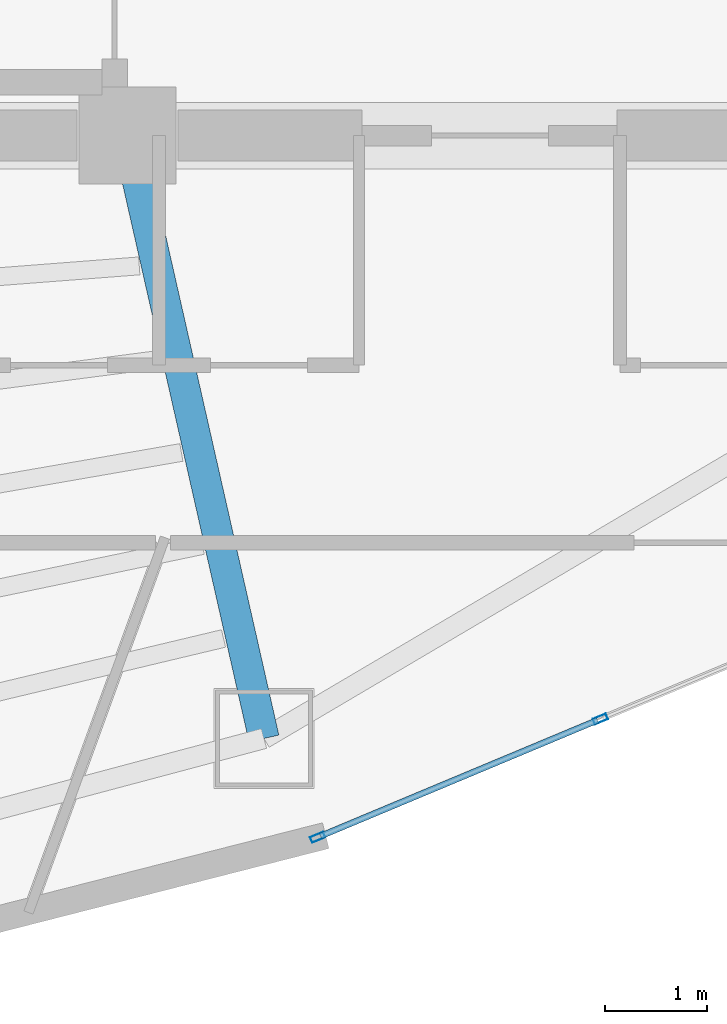
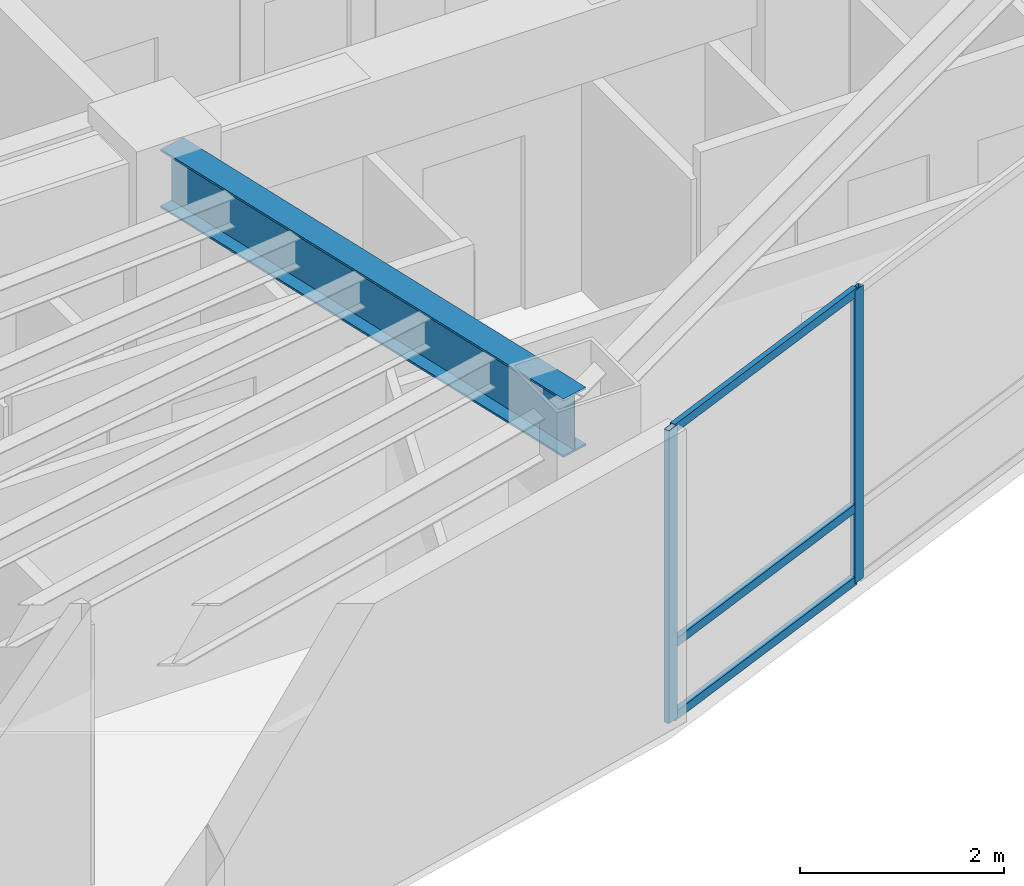
# One storey, part 2 of 15: 5 members, 1 beam, 1 element without a shape of its own.
"""IFC4 building model written with IfcOpenShell, lengths in metres."""

import ifcopenshell
import ifcopenshell.guid

model = None  # the IFC model being written
_history = None  # IfcOwnerHistory: only IFC2X3 demands one
_inside = {}  # id of a spatial element -> (the spatial element, [elements in it])
_under = {}  # id of a project, library or spatial element -> (it, [spatial elements below it])
_declared = {}  # id of a project -> (the project, [libraries it declares])
_typed = {}  # id of a type object -> (the type object, [elements of that type])
_made_of = {}  # id of a material, layer set ... -> (it, [elements and type objects made of it])


def new_model(schema):
    """Start an empty IFC model of exactly this schema.

    Asked for "IFC4X3", IfcOpenShell would pick the latest addendum, in which some entities
    have other attributes; the version numbers below select the first issue.
    IFC2X3 requires an IfcOwnerHistory on every rooted entity: one is made here for all.
    """
    global model, _history
    if schema == "IFC4X3":
        model = ifcopenshell.file(schema_version=(4, 3, 0, 0))
    else:
        model = ifcopenshell.file(schema=schema)
    _inside.clear()
    _under.clear()
    _declared.clear()
    _typed.clear()
    _made_of.clear()
    _history = None
    if model.schema == "IFC2X3":
        org = make("IfcOrganization", Name="unknown")
        user = make(
            "IfcPersonAndOrganization",
            ThePerson=make("IfcPerson", FamilyName="unknown"),
            TheOrganization=org,
        )
        app = make(
            "IfcApplication",
            ApplicationDeveloper=org,
            Version="unknown",
            ApplicationFullName="unknown",
            ApplicationIdentifier="unknown",
        )
        _history = make(
            "IfcOwnerHistory",
            OwningUser=user,
            OwningApplication=app,
            ChangeAction="ADDED",
            CreationDate=0,
        )
    return model


def make(cls, **values):
    """One entity of the class cls with the attributes given. An attribute that is None is left unset."""
    return model.create_entity(
        cls, **{name: value for name, value in values.items() if value is not None}
    )


def rooted(cls, **values):
    """An entity with a GlobalId (a new one), such as an element, a storey or a relation."""
    return make(cls, GlobalId=ifcopenshell.guid.new(), OwnerHistory=_history, **values)


def si_unit(unit_type, name, prefix=None):
    """IfcSIUnit, for example si_unit("LENGTHUNIT", "METRE", prefix="MILLI")."""
    return make("IfcSIUnit", UnitType=unit_type, Prefix=prefix, Name=name)


def assignment(units):
    """IfcUnitAssignment: the units of a project."""
    return None if units is None else make("IfcUnitAssignment", Units=units)


def point(xyz):
    """IfcCartesianPoint."""
    return None if xyz is None else make("IfcCartesianPoint", Coordinates=xyz)


def direction(xyz):
    """IfcDirection."""
    return None if xyz is None else make("IfcDirection", DirectionRatios=xyz)


def frame(location, z_axis=None, x_axis=None):
    """IfcAxis2Placement3D, a coordinate frame: its origin and axes. An axis left out is left unset."""
    return make(
        "IfcAxis2Placement3D",
        Location=point(location),
        Axis=direction(z_axis),
        RefDirection=direction(x_axis),
    )


def frame_2d(location, x_axis=None):
    """IfcAxis2Placement2D, a coordinate frame in the plane: its origin and x axis."""
    return make(
        "IfcAxis2Placement2D", Location=point(location), RefDirection=direction(x_axis)
    )


def origin():
    """The frame at (0, 0, 0) with its axes left unset."""
    return frame((0.0, 0.0, 0.0))


def origin_2d():
    """The frame at (0, 0) in the plane with its x axis left unset."""
    return frame_2d((0.0, 0.0))


def place(relative_to, where):
    """IfcLocalPlacement: puts the frame where relative to a parent placement (None: the world)."""
    return make(
        "IfcLocalPlacement", PlacementRelTo=relative_to, RelativePlacement=where
    )


def context(
    kind, dimensions, precision=None, world=None, true_north=None, identifier=None
):
    """IfcGeometricRepresentationContext, for example the 3D "Model" context."""
    return make(
        "IfcGeometricRepresentationContext",
        ContextIdentifier=identifier,
        ContextType=kind,
        CoordinateSpaceDimension=dimensions,
        Precision=precision,
        WorldCoordinateSystem=world,
        TrueNorth=true_north,
    )


def subcontext(parent, identifier, kind, view, scale=None):
    """IfcGeometricRepresentationSubContext, for example "Body" below "Model"."""
    return make(
        "IfcGeometricRepresentationSubContext",
        ContextIdentifier=identifier,
        ContextType=kind,
        ParentContext=parent,
        TargetScale=scale,
        TargetView=view,
    )


def project(units=None, contexts=None):
    """IfcProject with its units and contexts."""
    return rooted(
        "IfcProject",
        Name="project",
        RepresentationContexts=contexts,
        UnitsInContext=assignment(units),
    )


def spatial(cls, under=None, at=None, **own):
    """A site, building, storey or space (cls), placed at a placement, below another one or the project."""
    s = rooted(cls, ObjectPlacement=at, **own)
    if under is not None:
        _under.setdefault(under.id(), (under, []))[1].append(s)
    return s


def profile(cls, at=None, kind="AREA", **sizes):
    """A parametric profile (cls). Its sizes go by their IFC names, for example OverallWidth=200.0."""
    return make(cls, ProfileType=kind, Position=at, **sizes)


def hollow_rectangle(**sizes):
    """IfcRectangleHollowProfileDef."""
    return profile("IfcRectangleHollowProfileDef", **sizes)


def i_section(**sizes):
    """IfcIShapeProfileDef."""
    return profile("IfcIShapeProfileDef", **sizes)


def extrude(swept, where, along, depth):
    """IfcExtrudedAreaSolid: the profile swept, set in the frame where, extruded along a direction by depth."""
    return make(
        "IfcExtrudedAreaSolid",
        SweptArea=swept,
        Position=where,
        ExtrudedDirection=direction(along),
        Depth=depth,
    )


def shape(context_of_items, identifier, shape_type, items):
    """IfcShapeRepresentation: the items that make up one representation, for example the "Body"."""
    return make(
        "IfcShapeRepresentation",
        ContextOfItems=context_of_items,
        RepresentationIdentifier=identifier,
        RepresentationType=shape_type,
        Items=items,
    )


def material(Name=None, Category=None):
    """IfcMaterial."""
    return make("IfcMaterial", Name=Name, Category=Category)


def layer(
    of_material, thickness, ventilated=None, Name=None, Category=None, Priority=None
):
    """IfcMaterialLayer: one layer of a wall or slab, of a material (None: an air gap)."""
    return make(
        "IfcMaterialLayer",
        Material=of_material,
        LayerThickness=thickness,
        IsVentilated=ventilated,
        Name=Name,
        Category=Category,
        Priority=Priority,
    )


def layer_set(layers, Name=None):
    """IfcMaterialLayerSet."""
    return make("IfcMaterialLayerSet", MaterialLayers=layers, LayerSetName=Name)


def material_profile(
    of_material, cross_section, Name=None, Category=None, Priority=None
):
    """IfcMaterialProfile: a cross section and its material."""
    return make(
        "IfcMaterialProfile",
        Name=Name,
        Material=of_material,
        Profile=cross_section,
        Priority=Priority,
        Category=Category,
    )


def profile_set(profiles, Name=None, composite=None):
    """IfcMaterialProfileSet."""
    return make(
        "IfcMaterialProfileSet",
        Name=Name,
        MaterialProfiles=profiles,
        CompositeProfile=composite,
    )


def made_of(thing, what):
    """Note that an element or type object is made of a material, layer set ...; save() writes the relation."""
    if what is not None:
        _made_of.setdefault(what.id(), (what, []))[1].append(thing)
    return thing


def type_object(cls, material=None, **own):
    """A type object (cls), such as IfcWallType, which elements share."""
    return made_of(rooted(cls, **own), material)


def element(
    cls,
    number,
    at=None,
    inside=None,
    cuts=None,
    type_object=None,
    material=None,
    context=None,
    identifier="Body",
    shape_type=None,
    held_by="IfcProductDefinitionShape",
    body=None,
    shapes=None,
    **own,
):
    """One element of the class cls, such as IfcWall. Its Tag is "e" and its number.

    at: its placement. inside: the storey or other place that contains it. cuts: it is an
    opening in that element (IfcRelVoidsElement). A single representation is given by context,
    identifier, shape_type and body (its items); several are given by shapes. held_by: the class
    of the entity that holds the representations. save() writes the other relations.
    """
    e = rooted(cls, Tag="e%d" % number, ObjectPlacement=at, **own)
    if body is not None:
        shapes = [shape(context, identifier, shape_type, body)]
    if shapes is not None:
        e.Representation = make(held_by, Representations=shapes)
    if inside is not None:
        _inside.setdefault(inside.id(), (inside, []))[1].append(e)
    if cuts is not None:
        rooted(
            "IfcRelVoidsElement", RelatingBuildingElement=cuts, RelatedOpeningElement=e
        )
    if type_object is not None:
        _typed.setdefault(type_object.id(), (type_object, []))[1].append(e)
    return made_of(e, material)


def aggregate(whole, parts):
    """IfcRelAggregates: a whole, such as a stair, and the parts it consists of."""
    return rooted("IfcRelAggregates", RelatingObject=whole, RelatedObjects=parts)


def save(model, path):
    """Write the relations noted so far, then the file.

    IfcRelAggregates (storeys below a building ...), IfcRelContainedInSpatialStructure (elements
    in a storey), IfcRelDefinesByType, IfcRelAssociatesMaterial and IfcRelDeclares: one each for
    every whole, place, type object, material and project.
    """
    for whole, parts in _under.values():
        aggregate(whole, parts)
    for where, things in _inside.values():
        rooted(
            "IfcRelContainedInSpatialStructure",
            RelatedElements=things,
            RelatingStructure=where,
        )
    for kind, things in _typed.values():
        rooted("IfcRelDefinesByType", RelatedObjects=things, RelatingType=kind)
    for what, things in _made_of.values():
        rooted("IfcRelAssociatesMaterial", RelatedObjects=things, RelatingMaterial=what)
    for by, libraries in _declared.values():
        rooted("IfcRelDeclares", RelatingContext=by, RelatedDefinitions=libraries)
    model.write(path)


model = new_model("IFC4")

# Units and contexts
model_context = context("Model", 3, precision=1e-05, world=origin(), true_north=direction((0.0, 1.0)))
body_context = subcontext(model_context, "Body", "Model", "MODEL_VIEW")
ifc_project = project(units=[si_unit("LENGTHUNIT", "METRE"), si_unit("AREAUNIT", "SQUARE_METRE"), si_unit("VOLUMEUNIT", "CUBIC_METRE"), si_unit("PLANEANGLEUNIT", "RADIAN"), si_unit("MASSUNIT", "GRAM", prefix="KILO")], contexts=[model_context])

# Site, building, storey
site_placement = place(None, origin())
site = spatial("IfcSite", under=ifc_project, at=site_placement, CompositionType="ELEMENT")
building_placement = place(site_placement, origin())
building = spatial("IfcBuilding", under=site, at=building_placement, Name="Menara Vayukalpa", CompositionType="ELEMENT")
storey_placement = place(building_placement, frame((0.0, 0.0, 223.260009765625)))
storey = spatial("IfcBuildingStorey", under=building, at=storey_placement, Name="L56", CompositionType="ELEMENT", Elevation=223.260009765625)

# Beam
ifc_material_1 = material(Name="Steel S355", Category="steel")
ifc_material_profile_1 = material_profile(ifc_material_1, i_section(OverallWidth=0.300048828125, OverallDepth=0.699951171875, WebThickness=0.012939453125, FlangeThickness=0.02392578125, at=origin_2d()), Name="WF 700x300x13x24")
ifc_profile_set_1 = profile_set([ifc_material_profile_1], Name="Steel S355")
beam_type = type_object("IfcBeamType", Name="BM-PG5", PredefinedType="BEAM", material=ifc_profile_set_1)
beam_placement = place(storey_placement, frame((22.105224609375, 16.956298828125, 3.14990234375), z_axis=(0.221085149161, -0.975254508741, 0.0), x_axis=(0.975254508741, 0.221085149161, 0.0)))
element("IfcBeam", 1, at=beam_placement, inside=storey, type_object=beam_type, Name="L56 Primary Radial Girder RG08", PredefinedType="BEAM", context=body_context, shape_type="SweptSolid", body=[
    extrude(i_section(OverallWidth=0.300048828125, OverallDepth=0.699951171875, WebThickness=0.012939453125, FlangeThickness=0.02392578125, at=origin_2d()), origin(), (0.0, 0.0, 1.0), 5.80859375),
])

# Curtain wall, members
ifc_material_2 = material(Name="Anodised Terracotta Aluminium Alloy 6063-T6", Category="masonry")
ifc_layer = layer(ifc_material_2, 0.139892578125)
ifc_layer_set = layer_set([ifc_layer], Name="Anodised Terracotta Aluminium Alloy 6063-T6")
curtain_wall_type = type_object("IfcCurtainWallType", Name="CW-CW5", PredefinedType="USERDEFINED", material=ifc_layer_set)
curtain_wall_placement = place(storey_placement, origin())
curtain_wall = element("IfcCurtainWall", 2, at=curtain_wall_placement, inside=storey, type_object=curtain_wall_type, Name="L56 High Rise Tapered Curtain Wall CW5 16", ObjectType="UNITISED", PredefinedType="USERDEFINED")
ifc_material_3 = material(Name="Anodised Terracotta Aluminium Alloy 6063-T6", Category="masonry")
ifc_material_profile_2 = material_profile(ifc_material_3, hollow_rectangle(XDim=0.06005859375, YDim=0.139892578125, WallThickness=0.00341796875, at=origin_2d()), Name="ALU 60x140x3.5")
ifc_profile_set_2 = profile_set([ifc_material_profile_2], Name="Anodised Terracotta Aluminium Alloy 6063-T6")
member_type_1 = type_object("IfcMemberType", Name="CWM-CW5", PredefinedType="MULLION", material=ifc_profile_set_2)
member_1_placement = place(storey_placement, frame((23.916259765625, 10.322998046875, 0.0), z_axis=(0.0, 0.0, 1.0), x_axis=(-0.385902834406, 0.922539431351, 0.0)))
member_1 = element("IfcMember", 3, at=member_1_placement, type_object=member_type_1, Name="CW5 mullion 1", PredefinedType="MULLION", context=body_context, shape_type="SweptSolid", body=[
    extrude(hollow_rectangle(XDim=0.06005859375, YDim=0.139892578125, WallThickness=0.00341796875, at=origin_2d()), origin(), (0.0, 0.0, 1.0), 3.5),
])
member_2_placement = place(storey_placement, frame((26.686279296875, 11.481689453125, 0.0), z_axis=(0.0, 0.0, 1.0), x_axis=(-0.385902834406, 0.922539431351, 0.0)))
member_2 = element("IfcMember", 4, at=member_2_placement, type_object=member_type_1, Name="CW5 mullion 2", PredefinedType="MULLION", context=body_context, shape_type="SweptSolid", body=[
    extrude(hollow_rectangle(XDim=0.06005859375, YDim=0.139892578125, WallThickness=0.00341796875, at=origin_2d()), origin(), (0.0, 0.0, 1.0), 3.5),
])
ifc_material_4 = material(Name="Anodised Terracotta Aluminium Alloy 6063-T6", Category="masonry")
ifc_material_profile_3 = material_profile(ifc_material_4, hollow_rectangle(XDim=0.06005859375, YDim=0.10498046875, WallThickness=0.0029296875, at=origin_2d()), Name="ALU 60x105x3")
ifc_profile_set_3 = profile_set([ifc_material_profile_3], Name="Anodised Terracotta Aluminium Alloy 6063-T6")
member_type_2 = type_object("IfcMemberType", Name="CWT-CW5", PredefinedType="USERDEFINED", material=ifc_profile_set_3)
member_3_placement = place(storey_placement, frame((23.94384765625, 10.33447265625, 0.030029296875), z_axis=(0.922543360613, 0.385893440976, 0.0), x_axis=(-0.385893440976, 0.922543360613, 0.0)))
member_3 = element("IfcMember", 5, at=member_3_placement, type_object=member_type_2, Name="CW5 transom 1.1", ObjectType="TRANSOM", PredefinedType="USERDEFINED", context=body_context, shape_type="SweptSolid", body=[
    extrude(hollow_rectangle(XDim=0.06005859375, YDim=0.10498046875, WallThickness=0.0029296875, at=origin_2d()), origin(), (0.0, 0.0, 1.0), 2.942626953125),
])
member_4_placement = place(storey_placement, frame((23.94384765625, 10.33447265625, 0.89990234375), z_axis=(0.922543360613, 0.385893440976, 0.0), x_axis=(-0.385893440976, 0.922543360613, 0.0)))
member_4 = element("IfcMember", 6, at=member_4_placement, type_object=member_type_2, Name="CW5 transom 1.2", ObjectType="TRANSOM", PredefinedType="USERDEFINED", context=body_context, shape_type="SweptSolid", body=[
    extrude(hollow_rectangle(XDim=0.06005859375, YDim=0.10498046875, WallThickness=0.0029296875, at=origin_2d()), origin(), (0.0, 0.0, 1.0), 2.942626953125),
])
member_5_placement = place(storey_placement, frame((23.94384765625, 10.33447265625, 3.469970703125), z_axis=(0.922543360613, 0.385893440976, 0.0), x_axis=(-0.385893440976, 0.922543360613, 0.0)))
member_5 = element("IfcMember", 7, at=member_5_placement, type_object=member_type_2, Name="CW5 transom 1.3", ObjectType="TRANSOM", PredefinedType="USERDEFINED", context=body_context, shape_type="SweptSolid", body=[
    extrude(hollow_rectangle(XDim=0.06005859375, YDim=0.10498046875, WallThickness=0.0029296875, at=origin_2d()), origin(), (0.0, 0.0, 1.0), 2.942626953125),
])
aggregate(curtain_wall, [member_1, member_2, member_3, member_4, member_5])

save(model, "model.ifc")
